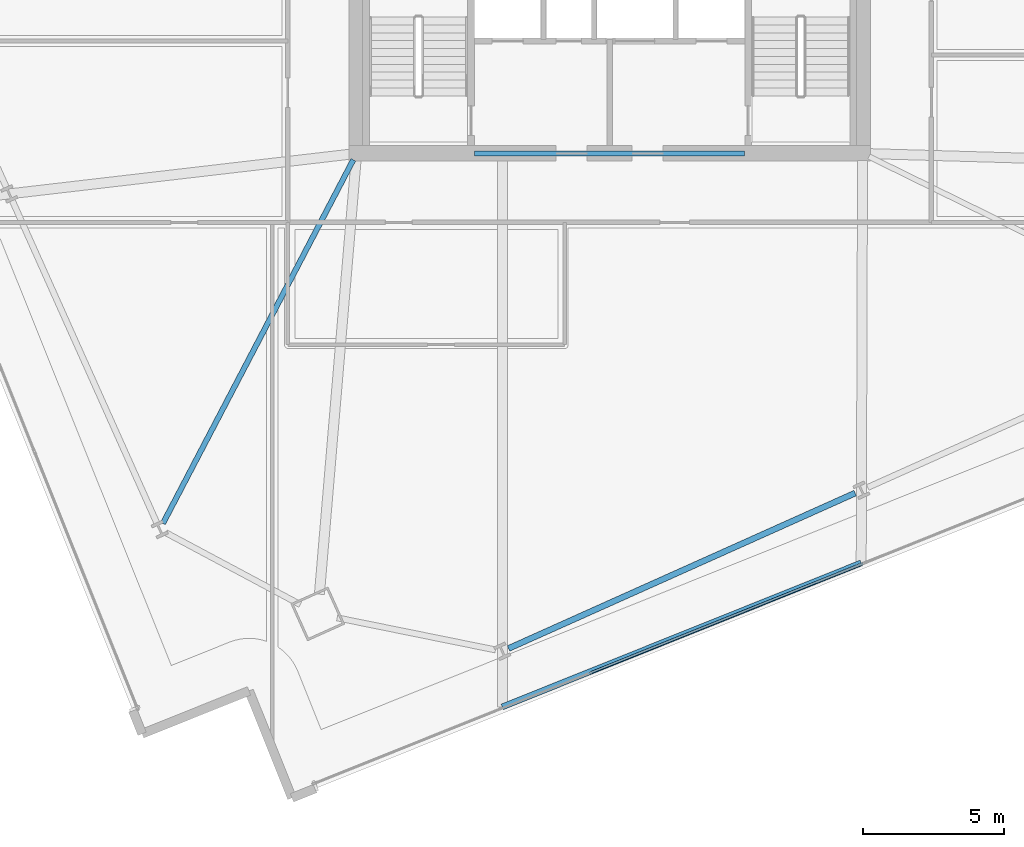
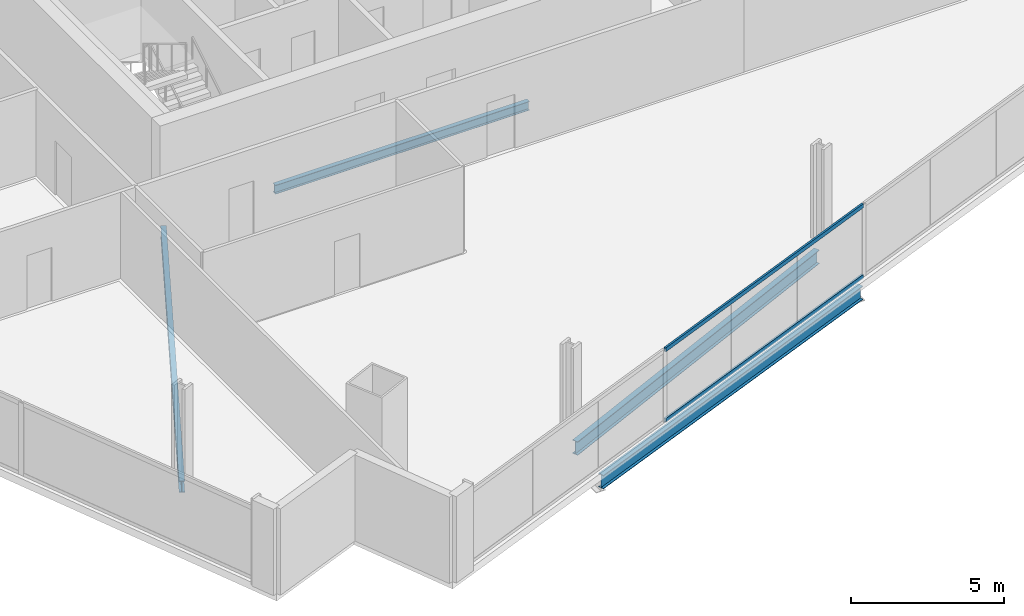
# One storey, part 7 of 33: 4 beams, 2 members, 1 element without a shape of its own.
"""IFC4 building model written with IfcOpenShell, lengths in metres."""

from ifc_helpers import new_model, si_unit, direction, frame, origin, origin_2d, place, context, subcontext, project, spatial, hollow_rectangle, i_section, extrude, material, material_profile, profile_set, type_object, element, aggregate, save


model = new_model("IFC4")

# Units and contexts
model_context = context("Model", 3, precision=1e-05, world=origin(), true_north=direction((0.0, 1.0)))
body_context = subcontext(model_context, "Body", "Model", "MODEL_VIEW")
ifc_project = project(units=[si_unit("LENGTHUNIT", "METRE"), si_unit("AREAUNIT", "SQUARE_METRE"), si_unit("VOLUMEUNIT", "CUBIC_METRE"), si_unit("PLANEANGLEUNIT", "RADIAN"), si_unit("MASSUNIT", "GRAM", prefix="KILO")], contexts=[model_context])

# Site, building, storey
site_placement = place(None, origin())
site = spatial("IfcSite", under=ifc_project, at=site_placement, CompositionType="ELEMENT")
building_placement = place(site_placement, origin())
building = spatial("IfcBuilding", under=site, at=building_placement, Name="Haldenkirk Collegiate Tower", CompositionType="ELEMENT")
storey_placement = place(building_placement, frame((0.0, 0.0, 101.699951171875)))
storey = spatial("IfcBuildingStorey", under=building, at=storey_placement, Name="L24", CompositionType="ELEMENT", Elevation=101.699951171875)

# Beams
ifc_material_1 = material(Name="Steel ASTM A992 Grade 50", Category="steel")
ifc_material_profile_1 = material_profile(ifc_material_1, i_section(OverallWidth=0.19189453125, OverallDepth=0.462890625, WebThickness=0.010498046875, FlangeThickness=0.017578125, at=origin_2d()), Name="W18X60")
ifc_profile_set_1 = profile_set([ifc_material_profile_1], Name="Steel ASTM A992 Grade 50")
beam_type_1 = type_object("IfcBeamType", Name="BM-JOIST-W18X60", PredefinedType="JOIST", material=ifc_profile_set_1)
beam_1_placement = place(storey_placement, frame((20.10986328125, 4.838623046875, -0.531494140625), z_axis=(0.463790173169, 0.885945074636, 0.0), x_axis=(-0.885945074636, 0.463790173169, 0.0)))
element("IfcBeam", 1, at=beam_1_placement, inside=storey, type_object=beam_type_1, Name="L24 composite floor joist 16", PredefinedType="JOIST", context=body_context, shape_type="SweptSolid", body=[
    extrude(i_section(OverallWidth=0.19189453125, OverallDepth=0.462890625, WebThickness=0.010498046875, FlangeThickness=0.017578125, at=origin_2d()), origin(), (0.0, 0.0, 1.0), 14.600830078125),
])
ifc_material_profile_2 = material_profile(ifc_material_1, i_section(OverallWidth=0.1708984375, OverallDepth=0.35595703125, WebThickness=0.007080078125, FlangeThickness=0.01171875, at=origin_2d()), Name="W14X34")
ifc_profile_set_2 = profile_set([ifc_material_profile_2], Name="Steel ASTM A992 Grade 50")
beam_type_2 = type_object("IfcBeamType", Name="BM-LINTEL-W14X34", PredefinedType="LINTEL", material=ifc_profile_set_2)
beam_2_placement = place(storey_placement, frame((31.199951171875, 18.0, -0.47802734375), z_axis=(1.0, 0.0, 0.0), x_axis=(0.0, 1.0, 0.0)))
element("IfcBeam", 2, at=beam_2_placement, inside=storey, type_object=beam_type_2, Name="L24 south core coupling lintel", PredefinedType="LINTEL", context=body_context, shape_type="SweptSolid", body=[
    extrude(i_section(OverallWidth=0.1708984375, OverallDepth=0.35595703125, WebThickness=0.007080078125, FlangeThickness=0.01171875, at=origin_2d()), origin(), (0.0, 0.0, 1.0), 9.60009765625),
])
ifc_material_profile_3 = material_profile(ifc_material_1, i_section(OverallWidth=0.2119140625, OverallDepth=0.5439453125, WebThickness=0.01318359375, FlangeThickness=0.021240234375, at=origin_2d()), Name="W21X83")
ifc_profile_set_3 = profile_set([ifc_material_profile_3], Name="Steel ASTM A992 Grade 50")
beam_type_3 = type_object("IfcBeamType", Name="BM-SPANDREL-W21X83", PredefinedType="SPANDREL", material=ifc_profile_set_3)
beam_3_placement = place(storey_placement, frame((32.405517578125, 0.3876953125, -0.572021484375), z_axis=(0.912476765144, 0.409128528793, 0.0), x_axis=(-0.409128528793, 0.912476765144, 0.0)))
element("IfcBeam", 3, at=beam_3_placement, inside=storey, type_object=beam_type_3, Name="L24 perimeter spandrel beam 02", PredefinedType="SPANDREL", context=body_context, shape_type="SweptSolid", body=[
    extrude(i_section(OverallWidth=0.2119140625, OverallDepth=0.5439453125, WebThickness=0.01318359375, FlangeThickness=0.021240234375, at=origin_2d()), origin(), (0.0, 0.0, 1.0), 13.512939453125),
])
beam_4_placement = place(storey_placement, frame((32.181396484375, -1.6904296875, -0.572021484375), z_axis=(0.928158161884, 0.372186010656, 0.0), x_axis=(-0.372186010656, 0.928158161884, 0.0)))
element("IfcBeam", 4, at=beam_4_placement, inside=storey, type_object=beam_type_3, Name="L24 outer facade edge beam 1", PredefinedType="SPANDREL", context=body_context, shape_type="SweptSolid", body=[
    extrude(i_section(OverallWidth=0.2119140625, OverallDepth=0.5439453125, WebThickness=0.01318359375, FlangeThickness=0.021240234375, at=origin_2d()), origin(), (0.0, 0.0, 1.0), 13.75830078125),
])

# Curtain wall, members
ifc_material_2 = material(Name="Anodised architectural bronze aluminium", Category="aluminium")
curtain_wall_type = type_object("IfcCurtainWallType", Name="CW-SYS2-CONCAVE", PredefinedType="USERDEFINED", material=ifc_material_2)
curtain_wall_placement = place(storey_placement, origin())
curtain_wall = element("IfcCurtainWall", 5, at=curtain_wall_placement, inside=storey, type_object=curtain_wall_type, Name="L24 South concave recessed bronze-anodised curtain wall", ObjectType="UNITISED CURTAIN WALL", PredefinedType="USERDEFINED")
ifc_material_profile_4 = material_profile(ifc_material_2, hollow_rectangle(XDim=0.074951171875, YDim=0.159912109375, WallThickness=0.0048828125, at=origin_2d()), Name="CW-TRN-02")
ifc_profile_set_4 = profile_set([ifc_material_profile_4], Name="Anodised architectural bronze aluminium")
member_type = type_object("IfcMemberType", Name="CW-TRN-02", PredefinedType="USERDEFINED", material=ifc_profile_set_4)
member_1_placement = place(storey_placement, frame((45.0166015625, 3.4130859375, 0.03759765625), z_axis=(-0.928167756893, -0.372162081711, 0.0), x_axis=(0.372162081711, -0.928167756893, 0.0)))
member_1 = element("IfcMember", 6, at=member_1_placement, type_object=member_type, Name="CW-02 transom 3.1", ObjectType="TRANSOM", PredefinedType="USERDEFINED", context=body_context, shape_type="SweptSolid", body=[
    extrude(hollow_rectangle(XDim=0.074951171875, YDim=0.159912109375, WallThickness=0.0048828125, at=origin_2d()), origin(), (0.0, 0.0, 1.0), 10.47509765625),
])
member_2_placement = place(storey_placement, frame((45.0166015625, 3.4130859375, 2.863525390625), z_axis=(-0.928167756893, -0.372162081711, 0.0), x_axis=(0.372162081711, -0.928167756893, 0.0)))
member_2 = element("IfcMember", 7, at=member_2_placement, type_object=member_type, Name="CW-02 transom 3.2", ObjectType="TRANSOM", PredefinedType="USERDEFINED", context=body_context, shape_type="SweptSolid", body=[
    extrude(hollow_rectangle(XDim=0.074951171875, YDim=0.159912109375, WallThickness=0.0048828125, at=origin_2d()), origin(), (0.0, 0.0, 1.0), 10.47509765625),
])
aggregate(curtain_wall, [member_1, member_2])

save(model, "model.ifc")
